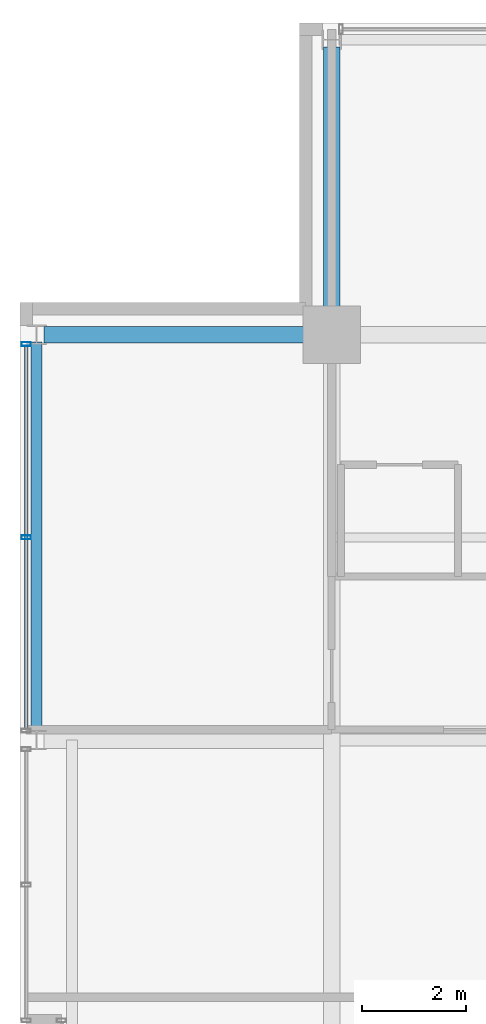
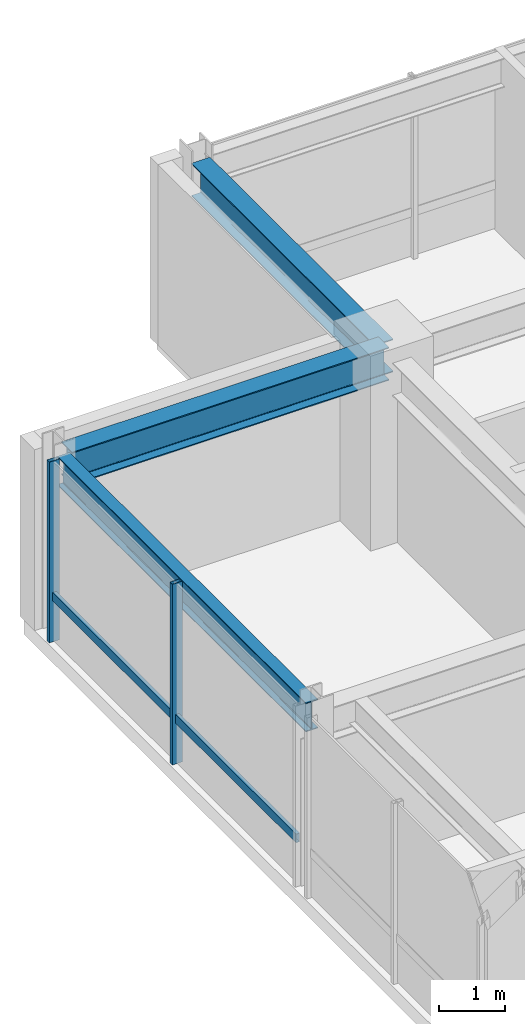
# One storey, part 18 of 31: 3 beams, 3 members, 1 element without a shape of its own.
"""IFC4 building model written with IfcOpenShell, lengths in metres."""

import ifcopenshell
import ifcopenshell.guid

model = None  # the IFC model being written
_history = None  # IfcOwnerHistory: only IFC2X3 demands one
_inside = {}  # id of a spatial element -> (the spatial element, [elements in it])
_under = {}  # id of a project, library or spatial element -> (it, [spatial elements below it])
_declared = {}  # id of a project -> (the project, [libraries it declares])
_typed = {}  # id of a type object -> (the type object, [elements of that type])
_made_of = {}  # id of a material, layer set ... -> (it, [elements and type objects made of it])


def new_model(schema):
    """Start an empty IFC model of exactly this schema.

    Asked for "IFC4X3", IfcOpenShell would pick the latest addendum, in which some entities
    have other attributes; the version numbers below select the first issue.
    IFC2X3 requires an IfcOwnerHistory on every rooted entity: one is made here for all.
    """
    global model, _history
    if schema == "IFC4X3":
        model = ifcopenshell.file(schema_version=(4, 3, 0, 0))
    else:
        model = ifcopenshell.file(schema=schema)
    _inside.clear()
    _under.clear()
    _declared.clear()
    _typed.clear()
    _made_of.clear()
    _history = None
    if model.schema == "IFC2X3":
        org = make("IfcOrganization", Name="unknown")
        user = make(
            "IfcPersonAndOrganization",
            ThePerson=make("IfcPerson", FamilyName="unknown"),
            TheOrganization=org,
        )
        app = make(
            "IfcApplication",
            ApplicationDeveloper=org,
            Version="unknown",
            ApplicationFullName="unknown",
            ApplicationIdentifier="unknown",
        )
        _history = make(
            "IfcOwnerHistory",
            OwningUser=user,
            OwningApplication=app,
            ChangeAction="ADDED",
            CreationDate=0,
        )
    return model


def make(cls, **values):
    """One entity of the class cls with the attributes given. An attribute that is None is left unset."""
    return model.create_entity(
        cls, **{name: value for name, value in values.items() if value is not None}
    )


def rooted(cls, **values):
    """An entity with a GlobalId (a new one), such as an element, a storey or a relation."""
    return make(cls, GlobalId=ifcopenshell.guid.new(), OwnerHistory=_history, **values)


def si_unit(unit_type, name, prefix=None):
    """IfcSIUnit, for example si_unit("LENGTHUNIT", "METRE", prefix="MILLI")."""
    return make("IfcSIUnit", UnitType=unit_type, Prefix=prefix, Name=name)


def assignment(units):
    """IfcUnitAssignment: the units of a project."""
    return None if units is None else make("IfcUnitAssignment", Units=units)


def point(xyz):
    """IfcCartesianPoint."""
    return None if xyz is None else make("IfcCartesianPoint", Coordinates=xyz)


def direction(xyz):
    """IfcDirection."""
    return None if xyz is None else make("IfcDirection", DirectionRatios=xyz)


def frame(location, z_axis=None, x_axis=None):
    """IfcAxis2Placement3D, a coordinate frame: its origin and axes. An axis left out is left unset."""
    return make(
        "IfcAxis2Placement3D",
        Location=point(location),
        Axis=direction(z_axis),
        RefDirection=direction(x_axis),
    )


def frame_2d(location, x_axis=None):
    """IfcAxis2Placement2D, a coordinate frame in the plane: its origin and x axis."""
    return make(
        "IfcAxis2Placement2D", Location=point(location), RefDirection=direction(x_axis)
    )


def origin():
    """The frame at (0, 0, 0) with its axes left unset."""
    return frame((0.0, 0.0, 0.0))


def origin_2d():
    """The frame at (0, 0) in the plane with its x axis left unset."""
    return frame_2d((0.0, 0.0))


def place(relative_to, where):
    """IfcLocalPlacement: puts the frame where relative to a parent placement (None: the world)."""
    return make(
        "IfcLocalPlacement", PlacementRelTo=relative_to, RelativePlacement=where
    )


def context(
    kind, dimensions, precision=None, world=None, true_north=None, identifier=None
):
    """IfcGeometricRepresentationContext, for example the 3D "Model" context."""
    return make(
        "IfcGeometricRepresentationContext",
        ContextIdentifier=identifier,
        ContextType=kind,
        CoordinateSpaceDimension=dimensions,
        Precision=precision,
        WorldCoordinateSystem=world,
        TrueNorth=true_north,
    )


def subcontext(parent, identifier, kind, view, scale=None):
    """IfcGeometricRepresentationSubContext, for example "Body" below "Model"."""
    return make(
        "IfcGeometricRepresentationSubContext",
        ContextIdentifier=identifier,
        ContextType=kind,
        ParentContext=parent,
        TargetScale=scale,
        TargetView=view,
    )


def project(units=None, contexts=None):
    """IfcProject with its units and contexts."""
    return rooted(
        "IfcProject",
        Name="project",
        RepresentationContexts=contexts,
        UnitsInContext=assignment(units),
    )


def spatial(cls, under=None, at=None, **own):
    """A site, building, storey or space (cls), placed at a placement, below another one or the project."""
    s = rooted(cls, ObjectPlacement=at, **own)
    if under is not None:
        _under.setdefault(under.id(), (under, []))[1].append(s)
    return s


def profile(cls, at=None, kind="AREA", **sizes):
    """A parametric profile (cls). Its sizes go by their IFC names, for example OverallWidth=200.0."""
    return make(cls, ProfileType=kind, Position=at, **sizes)


def hollow_rectangle(**sizes):
    """IfcRectangleHollowProfileDef."""
    return profile("IfcRectangleHollowProfileDef", **sizes)


def i_section(**sizes):
    """IfcIShapeProfileDef."""
    return profile("IfcIShapeProfileDef", **sizes)


def extrude(swept, where, along, depth):
    """IfcExtrudedAreaSolid: the profile swept, set in the frame where, extruded along a direction by depth."""
    return make(
        "IfcExtrudedAreaSolid",
        SweptArea=swept,
        Position=where,
        ExtrudedDirection=direction(along),
        Depth=depth,
    )


def shape(context_of_items, identifier, shape_type, items):
    """IfcShapeRepresentation: the items that make up one representation, for example the "Body"."""
    return make(
        "IfcShapeRepresentation",
        ContextOfItems=context_of_items,
        RepresentationIdentifier=identifier,
        RepresentationType=shape_type,
        Items=items,
    )


def material(Name=None, Category=None):
    """IfcMaterial."""
    return make("IfcMaterial", Name=Name, Category=Category)


def layer(
    of_material, thickness, ventilated=None, Name=None, Category=None, Priority=None
):
    """IfcMaterialLayer: one layer of a wall or slab, of a material (None: an air gap)."""
    return make(
        "IfcMaterialLayer",
        Material=of_material,
        LayerThickness=thickness,
        IsVentilated=ventilated,
        Name=Name,
        Category=Category,
        Priority=Priority,
    )


def layer_set(layers, Name=None):
    """IfcMaterialLayerSet."""
    return make("IfcMaterialLayerSet", MaterialLayers=layers, LayerSetName=Name)


def material_profile(
    of_material, cross_section, Name=None, Category=None, Priority=None
):
    """IfcMaterialProfile: a cross section and its material."""
    return make(
        "IfcMaterialProfile",
        Name=Name,
        Material=of_material,
        Profile=cross_section,
        Priority=Priority,
        Category=Category,
    )


def profile_set(profiles, Name=None, composite=None):
    """IfcMaterialProfileSet."""
    return make(
        "IfcMaterialProfileSet",
        Name=Name,
        MaterialProfiles=profiles,
        CompositeProfile=composite,
    )


def made_of(thing, what):
    """Note that an element or type object is made of a material, layer set ...; save() writes the relation."""
    if what is not None:
        _made_of.setdefault(what.id(), (what, []))[1].append(thing)
    return thing


def type_object(cls, material=None, **own):
    """A type object (cls), such as IfcWallType, which elements share."""
    return made_of(rooted(cls, **own), material)


def element(
    cls,
    number,
    at=None,
    inside=None,
    cuts=None,
    type_object=None,
    material=None,
    context=None,
    identifier="Body",
    shape_type=None,
    held_by="IfcProductDefinitionShape",
    body=None,
    shapes=None,
    **own,
):
    """One element of the class cls, such as IfcWall. Its Tag is "e" and its number.

    at: its placement. inside: the storey or other place that contains it. cuts: it is an
    opening in that element (IfcRelVoidsElement). A single representation is given by context,
    identifier, shape_type and body (its items); several are given by shapes. held_by: the class
    of the entity that holds the representations. save() writes the other relations.
    """
    e = rooted(cls, Tag="e%d" % number, ObjectPlacement=at, **own)
    if body is not None:
        shapes = [shape(context, identifier, shape_type, body)]
    if shapes is not None:
        e.Representation = make(held_by, Representations=shapes)
    if inside is not None:
        _inside.setdefault(inside.id(), (inside, []))[1].append(e)
    if cuts is not None:
        rooted(
            "IfcRelVoidsElement", RelatingBuildingElement=cuts, RelatedOpeningElement=e
        )
    if type_object is not None:
        _typed.setdefault(type_object.id(), (type_object, []))[1].append(e)
    return made_of(e, material)


def aggregate(whole, parts):
    """IfcRelAggregates: a whole, such as a stair, and the parts it consists of."""
    return rooted("IfcRelAggregates", RelatingObject=whole, RelatedObjects=parts)


def save(model, path):
    """Write the relations noted so far, then the file.

    IfcRelAggregates (storeys below a building ...), IfcRelContainedInSpatialStructure (elements
    in a storey), IfcRelDefinesByType, IfcRelAssociatesMaterial and IfcRelDeclares: one each for
    every whole, place, type object, material and project.
    """
    for whole, parts in _under.values():
        aggregate(whole, parts)
    for where, things in _inside.values():
        rooted(
            "IfcRelContainedInSpatialStructure",
            RelatedElements=things,
            RelatingStructure=where,
        )
    for kind, things in _typed.values():
        rooted("IfcRelDefinesByType", RelatedObjects=things, RelatingType=kind)
    for what, things in _made_of.values():
        rooted("IfcRelAssociatesMaterial", RelatedObjects=things, RelatingMaterial=what)
    for by, libraries in _declared.values():
        rooted("IfcRelDeclares", RelatingContext=by, RelatedDefinitions=libraries)
    model.write(path)


model = new_model("IFC4")

# Units and contexts
model_context = context("Model", 3, precision=1e-05, world=origin(), true_north=direction((0.0, 1.0)))
body_context = subcontext(model_context, "Body", "Model", "MODEL_VIEW")
ifc_project = project(units=[si_unit("LENGTHUNIT", "METRE"), si_unit("AREAUNIT", "SQUARE_METRE"), si_unit("VOLUMEUNIT", "CUBIC_METRE"), si_unit("PLANEANGLEUNIT", "RADIAN"), si_unit("MASSUNIT", "GRAM", prefix="KILO")], contexts=[model_context])

# Site, building, storey
site_placement = place(None, origin())
site = spatial("IfcSite", under=ifc_project, at=site_placement, CompositionType="ELEMENT")
building_placement = place(site_placement, origin())
building = spatial("IfcBuilding", under=site, at=building_placement, Name="Drelvath Grand Hotel", CompositionType="ELEMENT")
storey_placement = place(building_placement, frame((0.0, 0.0, 244.699951171875)))
storey = spatial("IfcBuildingStorey", under=building, at=storey_placement, Name="L64", CompositionType="ELEMENT", Elevation=244.699951171875)

# Curtain wall, members
ifc_material_1 = material(Name="Platinum-Mist Anodised Aluminium Frame", Category="aluminium")
ifc_layer = layer(ifc_material_1, 0.199951171875)
ifc_layer_set = layer_set([ifc_layer], Name="Platinum-Mist Anodised Aluminium Frame")
curtain_wall_type = type_object("IfcCurtainWallType", Name="Stick Curtain Wall CW-05 Platinum Mist High-Rise", PredefinedType="NOTDEFINED", material=ifc_layer_set)
curtain_wall_placement = place(storey_placement, origin())
curtain_wall = element("IfcCurtainWall", 1, at=curtain_wall_placement, inside=storey, type_object=curtain_wall_type, Name="L64 CW-05 Curtain Wall CW05-L64-WN2", PredefinedType="NOTDEFINED")
ifc_material_profile_1 = material_profile(ifc_material_1, hollow_rectangle(XDim=0.06494140625, YDim=0.159912109375, WallThickness=0.00390625, at=origin_2d()), Name="HSS160X65X4")
ifc_profile_set_1 = profile_set([ifc_material_profile_1], Name="Platinum-Mist Anodised Aluminium Frame")
member_type_1 = type_object("IfcMemberType", Name="Curtain Wall Horizontal Transom CW-05 HSS160X65X4", PredefinedType="USERDEFINED", material=ifc_profile_set_1)
member_1_placement = place(storey_placement, frame((-22.080078125, 35.6181640625, 0.8349609375), z_axis=(0.0, 1.0, 0.0), x_axis=(-1.0, 0.0, 0.0)))
member_1 = element("IfcMember", 2, at=member_1_placement, type_object=member_type_1, Name="CW05-L64-WN2 Sill Transom", ObjectType="TRANSOM", PredefinedType="USERDEFINED", context=body_context, shape_type="SweptSolid", body=[
    extrude(hollow_rectangle(XDim=0.06494140625, YDim=0.159912109375, WallThickness=0.00390625, at=origin_2d()), origin(), (0.0, 0.0, 1.0), 7.363525390625),
])
ifc_material_profile_2 = material_profile(ifc_material_1, hollow_rectangle(XDim=0.074951171875, YDim=0.179931640625, WallThickness=0.0048828125, at=origin_2d()), Name="HSS180X75X5")
ifc_profile_set_2 = profile_set([ifc_material_profile_2], Name="Platinum-Mist Anodised Aluminium Frame")
member_type_2 = type_object("IfcMemberType", Name="Curtain Wall Vertical Mullion CW-05 HSS180X75X5", PredefinedType="MULLION", material=ifc_profile_set_2)
member_2_placement = place(storey_placement, frame((-22.080078125, 39.300048828125, 0.0), z_axis=(0.0, 0.0, 1.0), x_axis=(0.0, 1.0, 0.0)))
member_2 = element("IfcMember", 3, at=member_2_placement, type_object=member_type_2, Name="CW05-L64-WN2 Mullion 2", PredefinedType="MULLION", context=body_context, shape_type="SweptSolid", body=[
    extrude(hollow_rectangle(XDim=0.074951171875, YDim=0.179931640625, WallThickness=0.0048828125, at=origin_2d()), origin(), (0.0, 0.0, 1.0), 3.340087890625),
])
member_3_placement = place(storey_placement, frame((-22.080078125, 43.021728515625, 0.0), z_axis=(0.0, 0.0, 1.0), x_axis=(0.0, 1.0, 0.0)))
member_3 = element("IfcMember", 4, at=member_3_placement, type_object=member_type_2, Name="CW05-L64-WN2 Mullion 3", PredefinedType="MULLION", context=body_context, shape_type="SweptSolid", body=[
    extrude(hollow_rectangle(XDim=0.074951171875, YDim=0.179931640625, WallThickness=0.0048828125, at=origin_2d()), origin(), (0.0, 0.0, 1.0), 3.340087890625),
])
aggregate(curtain_wall, [member_2, member_3, member_1])

# Beams
ifc_material_2 = material(Name="Steel ASTM A992 Gr 50", Category="steel")
ifc_material_profile_3 = material_profile(ifc_material_2, i_section(OverallWidth=0.210205078125, OverallDepth=0.53662109375, WebThickness=0.010986328125, FlangeThickness=0.017333984375, FilletRadius=0.01806640625, at=origin_2d()), Name="W21X68")
ifc_profile_set_3 = profile_set([ifc_material_profile_3], Name="Steel ASTM A992 Gr 50")
beam_type_1 = type_object("IfcBeamType", Name="Perimeter Spandrel Beam W21X68", PredefinedType="SPANDREL", material=ifc_profile_set_3)
beam_placement = place(storey_placement, frame((-21.8798828125, 35.5400390625, 3.071533203125), z_axis=(0.0, 1.0, 0.0), x_axis=(-1.0, 0.0, 0.0)))
element("IfcBeam", 5, at=beam_placement, inside=storey, type_object=beam_type_1, Name="L64 Spandrel West N", PredefinedType="SPANDREL", context=body_context, shape_type="SweptSolid", body=[
    extrude(i_section(OverallWidth=0.210205078125, OverallDepth=0.53662109375, WebThickness=0.010986328125, FlangeThickness=0.017333984375, FilletRadius=0.01806640625, at=origin_2d()), origin(), (0.0, 0.0, 1.0), 7.52001953125),
])
ifc_material_profile_4 = material_profile(ifc_material_2, i_section(OverallWidth=0.323974609375, OverallDepth=0.611083984375, WebThickness=0.0126953125, FlangeThickness=0.01904296875, FilletRadius=0.02197265625, at=origin_2d()), Name="W24X104")
ifc_profile_set_4 = profile_set([ifc_material_profile_4], Name="Steel ASTM A992 Gr 50")
beam_type_2 = type_object("IfcBeamType", Name="Primary Floor Girder W24X104", PredefinedType="BEAM", material=ifc_profile_set_4)
for number, where, z_axis, x_axis, name in (
    (6, (-21.739990234375, 43.199951171875, 3.034423828125), (1.0, 0.0, 0.0), (0.0, 1.0, 0.0), "L64 West Grid Girder G"),
    (7, (-16.199951171875, 43.199951171875, 3.034423828125), (0.0, 1.0, 0.0), (-1.0, 0.0, 0.0), "L64 North Grid Girder 3"),
):
    element("IfcBeam", number, at=place(storey_placement, frame(where, z_axis=z_axis, x_axis=x_axis)), inside=storey, type_object=beam_type_2, Name=name, PredefinedType="BEAM", context=body_context, shape_type="SweptSolid", body=[
        extrude(i_section(OverallWidth=0.323974609375, OverallDepth=0.611083984375, WebThickness=0.0126953125, FlangeThickness=0.01904296875, FilletRadius=0.02197265625, at=origin_2d()), origin(), (0.0, 0.0, 1.0), 5.5400390625),
    ])

save(model, "model.ifc")
